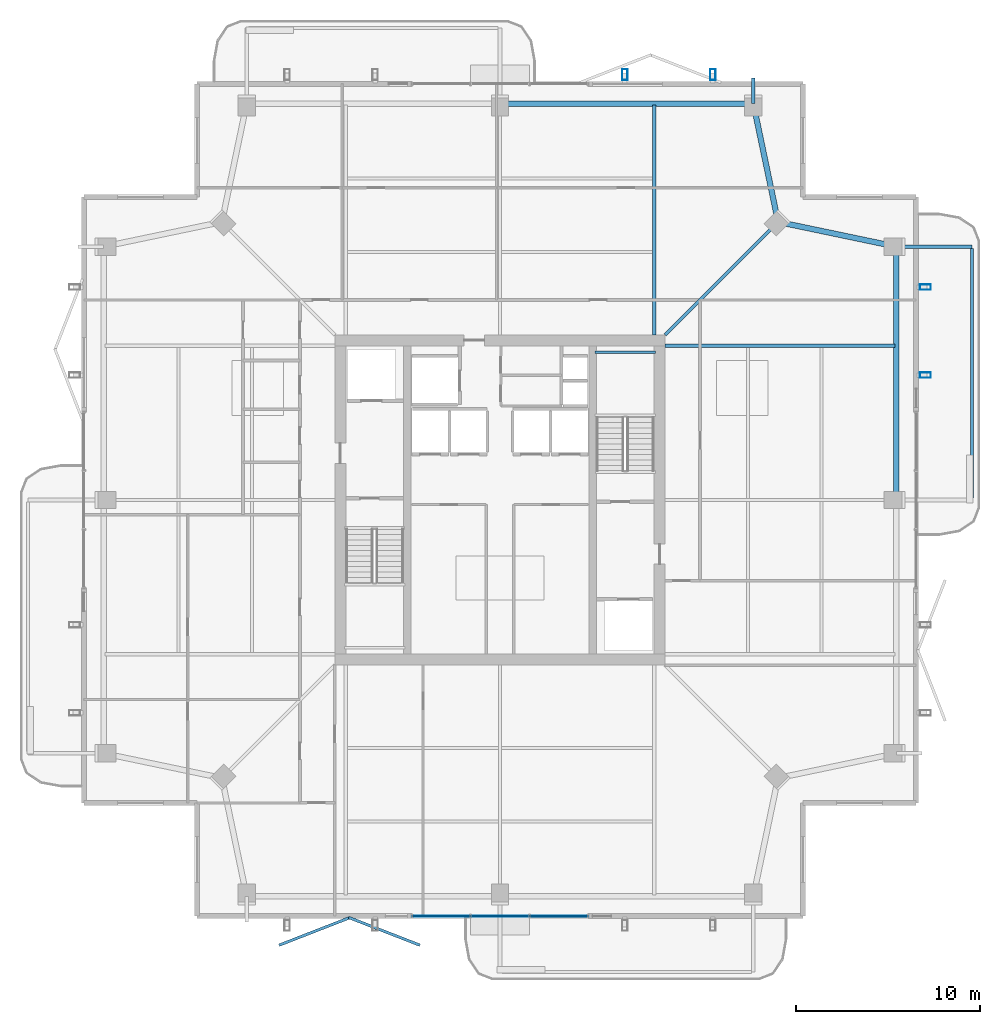
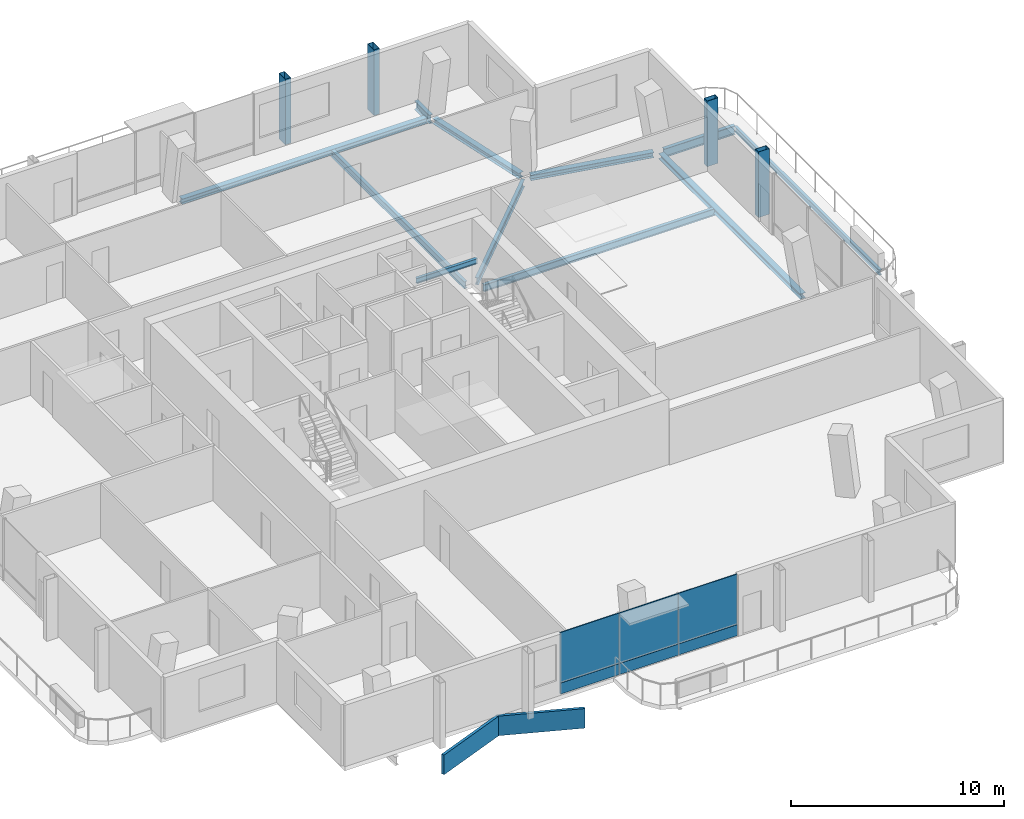
# One storey, part 12 of 20: 11 beams, 8 plates, 4 members, 1 element without a shape of its own.
"""IFC4 building model written with IfcOpenShell, lengths in metres."""

from ifc_helpers import new_model, si_unit, direction, frame, origin, origin_2d, place, context, subcontext, project, spatial, rectangle, hollow_rectangle, i_section, extrude, material, layer, layer_set, material_profile, profile_set, type_object, element, aggregate, save


model = new_model("IFC4")

# Units and contexts
model_context = context("Model", 3, precision=1e-05, world=origin(), true_north=direction((0.0, 1.0)))
body_context = subcontext(model_context, "Body", "Model", "MODEL_VIEW")
ifc_project = project(units=[si_unit("LENGTHUNIT", "METRE"), si_unit("AREAUNIT", "SQUARE_METRE"), si_unit("VOLUMEUNIT", "CUBIC_METRE"), si_unit("PLANEANGLEUNIT", "RADIAN"), si_unit("MASSUNIT", "GRAM", prefix="KILO")], contexts=[model_context])

# Site, building, storey
site_placement = place(None, origin())
site = spatial("IfcSite", under=ifc_project, at=site_placement, CompositionType="ELEMENT")
building_placement = place(site_placement, origin())
building = spatial("IfcBuilding", under=site, at=building_placement, Name="Belovzor Exchange Tower", CompositionType="ELEMENT")
storey_placement = place(building_placement, frame((0.0, 0.0, 329.25)))
storey = spatial("IfcBuildingStorey", under=building, at=storey_placement, Name="L82", CompositionType="ELEMENT", Elevation=329.25)

# Beams
ifc_material_1 = material(Name="Steel S355", Category="steel")
ifc_material_profile_1 = material_profile(ifc_material_1, i_section(OverallWidth=0.199951171875, OverallDepth=0.5, WebThickness=0.01025390625, FlangeThickness=0.01611328125, at=origin_2d()))
ifc_profile_set_1 = profile_set([ifc_material_profile_1], Name="Steel S355")
beam_type_1 = type_object("IfcBeamType", Name="Planted Balcony Cantilever Beam IPE 500", PredefinedType="BEAM", material=ifc_profile_set_1)
beam_1_placement = place(storey_placement, frame((50.660888671875, 42.60009765625, -0.489990234375), z_axis=(1.0, 0.0, 0.0), x_axis=(0.0, 1.0, 0.0)))
element("IfcBeam", 1, at=beam_1_placement, inside=storey, type_object=beam_type_1, Name="BC-500 Planted Balcony Cantilever Beam IPE 500", PredefinedType="BEAM", context=body_context, shape_type="SweptSolid", body=[
    extrude(i_section(OverallWidth=0.199951171875, OverallDepth=0.5, WebThickness=0.01025390625, FlangeThickness=0.01611328125, at=origin_2d()), origin(), (0.0, 0.0, 1.0), 3.85009765625),
])
beam_2_placement = place(storey_placement, frame((42.60009765625, 50.39990234375, -0.489990234375), z_axis=(0.0, 1.0, 0.0), x_axis=(-1.0, 0.0, 0.0)))
element("IfcBeam", 2, at=beam_2_placement, inside=storey, type_object=beam_type_1, Name="BC-500 Planted Balcony Cantilever Beam IPE 500", PredefinedType="BEAM", context=body_context, shape_type="SweptSolid", body=[
    extrude(i_section(OverallWidth=0.199951171875, OverallDepth=0.5, WebThickness=0.01025390625, FlangeThickness=0.01611328125, at=origin_2d()), origin(), (0.0, 0.0, 1.0), 1.400146484375),
])
ifc_material_2 = material(Name="Steel S355", Category="steel")
ifc_material_profile_2 = material_profile(ifc_material_2, i_section(OverallWidth=0.14990234375, OverallDepth=0.300048828125, WebThickness=0.007080078125, FlangeThickness=0.0107421875, at=origin_2d()))
ifc_profile_set_2 = profile_set([ifc_material_profile_2], Name="Steel S355")
beam_type_2 = type_object("IfcBeamType", Name="Planted Balcony Fascia Edge Beam IPE 300", PredefinedType="BEAM", material=ifc_profile_set_2)
beam_3_placement = place(storey_placement, frame((54.510986328125, 28.89990234375, -0.389892578125), z_axis=(0.0, 1.0, 0.0), x_axis=(-1.0, 0.0, 0.0)))
element("IfcBeam", 3, at=beam_3_placement, inside=storey, type_object=beam_type_2, Name="BC-300 Planted Balcony Fascia Edge Beam IPE 300", PredefinedType="BEAM", context=body_context, shape_type="SweptSolid", body=[
    extrude(i_section(OverallWidth=0.14990234375, OverallDepth=0.300048828125, WebThickness=0.007080078125, FlangeThickness=0.0107421875, at=origin_2d()), origin(), (0.0, 0.0, 1.0), 13.60009765625),
])
ifc_material_3 = material(Name="Steel S355", Category="steel")
ifc_material_profile_3 = material_profile(ifc_material_3, i_section(OverallWidth=0.14990234375, OverallDepth=0.300048828125, WebThickness=0.007080078125, FlangeThickness=0.0107421875, at=origin_2d()))
ifc_profile_set_3 = profile_set([ifc_material_profile_3], Name="Steel S355")
beam_type_3 = type_object("IfcBeamType", Name="Secondary Trim Floor Joist IPE 300", PredefinedType="BEAM", material=ifc_profile_set_3)
beam_4_placement = place(storey_placement, frame((37.280029296875, 36.85009765625, 1.52490234375), z_axis=(-1.0, 0.0, 0.0), x_axis=(0.0, -1.0, 0.0)))
element("IfcBeam", 4, at=beam_4_placement, inside=storey, type_object=beam_type_3, Name="FJ-300 Secondary Trim Floor Joist IPE 300", PredefinedType="BEAM", context=body_context, shape_type="SweptSolid", body=[
    extrude(i_section(OverallWidth=0.14990234375, OverallDepth=0.300048828125, WebThickness=0.007080078125, FlangeThickness=0.0107421875, at=origin_2d()), origin(), (0.0, 0.0, 1.0), 3.31005859375),
])

# Members
ifc_material_4 = material(Name="Extruded Architectural Terracotta on Steel S355 Carrier", Category="masonry")
ifc_material_profile_4 = material_profile(ifc_material_4, hollow_rectangle(XDim=0.300048828125, YDim=0.60009765625, WallThickness=0.01611328125, at=origin_2d()))
ifc_profile_set_4 = profile_set([ifc_material_profile_4], Name="Extruded Architectural Terracotta on Steel S355 Carrier")
member_type = type_object("IfcMemberType", Name="Upper Crown Terracotta Fin Assembly 550", PredefinedType="USERDEFINED", material=ifc_profile_set_4)
for number, where, z_axis, x_axis, name in (
    (5, (35.60009765625, 51.97509765625, -0.239990234375), (0.0, 0.0, 1.0), (1.0, 0.0, 0.0), "FIN-TC055 Terracotta Facade Fin L82 N3"),
    (6, (51.97509765625, 35.60009765625, -0.239990234375), (0.0, 0.0, 1.0), (0.0, 1.0, 0.0), "FIN-TC055 Terracotta Facade Fin L82 E3"),
    (7, (40.39990234375, 51.97509765625, -0.239990234375), (0.0, 0.0, 1.0), (1.0, 0.0, 0.0), "FIN-TC055 Terracotta Facade Fin L82 N4"),
    (8, (51.97509765625, 40.39990234375, -0.239990234375), (0.0, 0.0, 1.0), (0.0, 1.0, 0.0), "FIN-TC055 Terracotta Facade Fin L82 E4"),
):
    element("IfcMember", number, at=place(storey_placement, frame(where, z_axis=z_axis, x_axis=x_axis)), inside=storey, type_object=member_type, Name=name, ObjectType="FIN", PredefinedType="USERDEFINED", context=body_context, shape_type="SweptSolid", body=[
        extrude(hollow_rectangle(XDim=0.300048828125, YDim=0.60009765625, WallThickness=0.01611328125, at=origin_2d()), origin(), (0.0, 0.0, 1.0), 3.75),
    ])

# Beams
ifc_material_5 = material(Name="Steel S355", Category="steel")
ifc_material_profile_5 = material_profile(ifc_material_5, i_section(OverallWidth=0.179931640625, OverallDepth=0.39990234375, WebThickness=0.008544921875, FlangeThickness=0.013427734375, at=origin_2d()))
ifc_profile_set_5 = profile_set([ifc_material_profile_5], Name="Steel S355")
beam_type_4 = type_object("IfcBeamType", Name="Zone 5-6 Radial Composite Floor Beam IPE 400", PredefinedType="BEAM", material=ifc_profile_set_5)
for number, where, z_axis, x_axis, name in (
    (9, (37.199951171875, 37.800048828125, -0.43994140625), (0.0, 1.0, 0.0), (-1.0, 0.0, 0.0), "FB-400 Zone 5-6 Radial Composite Floor Beam IPE 400"),
    (10, (37.800048828125, 37.199951171875, -0.43994140625), (1.0, 0.0, 0.0), (0.0, 1.0, 0.0), "FB-400 Zone 5-6 Radial Composite Floor Beam IPE 400"),
):
    element("IfcBeam", number, at=place(storey_placement, frame(where, z_axis=z_axis, x_axis=x_axis)), inside=storey, type_object=beam_type_4, Name=name, PredefinedType="BEAM", context=body_context, shape_type="SweptSolid", body=[
        extrude(i_section(OverallWidth=0.179931640625, OverallDepth=0.39990234375, WebThickness=0.008544921875, FlangeThickness=0.013427734375, at=origin_2d()), origin(), (0.0, 0.0, 1.0), 12.52490234375),
    ])
beam_5_placement = place(storey_placement, frame((37.800048828125, 37.800048828125, -0.43994140625), z_axis=(0.707106781187, 0.707106781187, 0.0), x_axis=(-0.707106781187, 0.707106781187, 0.0)))
element("IfcBeam", 11, at=beam_5_placement, inside=storey, type_object=beam_type_4, Name="FB-400 Zone 5-6 Radial Composite Floor Beam IPE 400", PredefinedType="BEAM", context=body_context, shape_type="SweptSolid", body=[
    extrude(i_section(OverallWidth=0.179931640625, OverallDepth=0.39990234375, WebThickness=0.008544921875, FlangeThickness=0.013427734375, at=origin_2d()), origin(), (0.0, 0.0, 1.0), 8.362060546875),
])
ifc_material_6 = material(Name="Steel S355", Category="steel")
ifc_material_profile_6 = material_profile(ifc_material_6, i_section(OverallWidth=0.300048828125, OverallDepth=0.300048828125, WebThickness=0.008544921875, FlangeThickness=0.013916015625, at=origin_2d()))
ifc_profile_set_6 = profile_set([ifc_material_profile_6], Name="Steel S355")
beam_type_5 = type_object("IfcBeamType", Name="Zone 6 Primary Girder HEA 300", PredefinedType="BEAM", material=ifc_profile_set_6)
beam_6_placement = place(storey_placement, frame((50.39990234375, 29.06103515625, -0.389892578125), z_axis=(0.0, 1.0, 0.0), x_axis=(-1.0, 0.0, 0.0)))
element("IfcBeam", 12, at=beam_6_placement, inside=storey, type_object=beam_type_5, Name="FG-Z6 Zone 6 Primary Girder HEA 300", PredefinedType="BEAM", context=body_context, shape_type="SweptSolid", body=[
    extrude(i_section(OverallWidth=0.300048828125, OverallDepth=0.300048828125, WebThickness=0.008544921875, FlangeThickness=0.013916015625, at=origin_2d()), origin(), (0.0, 0.0, 1.0), 13.278076171875),
])
for number, where, z_axis, x_axis, name in (
    (13, (50.14404296875, 42.654052734375, -0.389892578125), (-0.978820078908, 0.204722380619, 0.0), (-0.204722380619, -0.978820078908, 0.0), "FG-Z6 Zone 6 Primary Girder HEA 300"),
    (14, (43.89599609375, 44.2060546875, -0.389892578125), (-0.204722380619, 0.978820078908, 0.0), (-0.978820078908, -0.204722380619, 0.0), "FG-Z6 Zone 6 Primary Girder HEA 300"),
):
    element("IfcBeam", number, at=place(storey_placement, frame(where, z_axis=z_axis, x_axis=x_axis)), inside=storey, type_object=beam_type_5, Name=name, PredefinedType="BEAM", context=body_context, shape_type="SweptSolid", body=[
        extrude(i_section(OverallWidth=0.300048828125, OverallDepth=0.300048828125, WebThickness=0.008544921875, FlangeThickness=0.013916015625, at=origin_2d()), origin(), (0.0, 0.0, 1.0), 6.06640625),
    ])
beam_7_placement = place(storey_placement, frame((42.339111328125, 50.39990234375, -0.389892578125), z_axis=(-1.0, 0.0, 0.0), x_axis=(0.0, -1.0, 0.0)))
element("IfcBeam", 15, at=beam_7_placement, inside=storey, type_object=beam_type_5, Name="FG-Z6 Zone 6 Primary Girder HEA 300", PredefinedType="BEAM", context=body_context, shape_type="SweptSolid", body=[
    extrude(i_section(OverallWidth=0.300048828125, OverallDepth=0.300048828125, WebThickness=0.008544921875, FlangeThickness=0.013916015625, at=origin_2d()), origin(), (0.0, 0.0, 1.0), 13.278076171875),
])

# Curtain wall, plates
ifc_material_7 = material(Name="Anodised Aluminium Framing", Category="aluminium")
ifc_layer_1 = layer(ifc_material_7, 0.179931640625)
ifc_layer_set_1 = layer_set([ifc_layer_1], Name="Anodised Aluminium Framing")
curtain_wall_type = type_object("IfcCurtainWallType", Name="Recessed Loggia Low-Iron Triple-Glazed Curtain Wall", PredefinedType="NOTDEFINED", material=ifc_layer_set_1)
curtain_wall_placement = place(storey_placement, origin())
curtain_wall = element("IfcCurtainWall", 16, at=curtain_wall_placement, inside=storey, type_object=curtain_wall_type, Name="CW3 Recessed Loggia Low-Iron Triple-Glazed Curtain Wall L82", PredefinedType="NOTDEFINED")
ifc_material_8 = material(Name="Solar-Control Triple Glazing", Category="glass")
ifc_layer_2 = layer(ifc_material_8, 0.0439453125)
ifc_layer_set_2 = layer_set([ifc_layer_2], Name="Solar-Control Triple Glazing")
plate_type_1 = type_object("IfcPlateType", Name="Insulated Solar Glazing Curtain Panel 44", PredefinedType="CURTAIN_PANEL", material=ifc_layer_set_2)
plate_1_placement = place(storey_placement, frame((32.0, 6.1298828125, 0.634033203125), z_axis=(0.0, 0.0, 1.0), x_axis=(-1.0, 0.0, 0.0)))
plate_1 = element("IfcPlate", 17, at=plate_1_placement, type_object=plate_type_1, Name="GLZ-44 Glazed Curtain Panel 1", PredefinedType="CURTAIN_PANEL", context=body_context, shape_type="SweptSolid", body=[
    extrude(rectangle(XDim=3.18408203125, YDim=0.0439453125, at=origin_2d()), origin(), (0.0, 0.0, 1.0), 2.8759765625),
])
plate_2_placement = place(storey_placement, frame((28.800048828125, 6.1298828125, 0.634033203125), z_axis=(0.0, 0.0, 1.0), x_axis=(-1.0, 0.0, 0.0)))
plate_2 = element("IfcPlate", 18, at=plate_2_placement, type_object=plate_type_1, Name="GLZ-44 Glazed Curtain Panel 2", PredefinedType="CURTAIN_PANEL", context=body_context, shape_type="SweptSolid", body=[
    extrude(rectangle(XDim=3.18408203125, YDim=0.0439453125, at=origin_2d()), origin(), (0.0, 0.0, 1.0), 2.8759765625),
])
plate_3_placement = place(storey_placement, frame((25.60009765625, 6.1298828125, 0.634033203125), z_axis=(0.0, 0.0, 1.0), x_axis=(-1.0, 0.0, 0.0)))
plate_3 = element("IfcPlate", 19, at=plate_3_placement, type_object=plate_type_1, Name="GLZ-44 Glazed Curtain Panel 3", PredefinedType="CURTAIN_PANEL", context=body_context, shape_type="SweptSolid", body=[
    extrude(rectangle(XDim=3.18408203125, YDim=0.0439453125, at=origin_2d()), origin(), (0.0, 0.0, 1.0), 2.8759765625),
])
ifc_material_9 = material(Name="Extruded Architectural Terracotta", Category="masonry")
ifc_layer_3 = layer(ifc_material_9, 0.090087890625)
ifc_layer_set_3 = layer_set([ifc_layer_3], Name="Extruded Architectural Terracotta")
plate_type_2 = type_object("IfcPlateType", Name="Terracotta Shadow-Box Spandrel Panel 90", PredefinedType="CURTAIN_PANEL", material=ifc_layer_set_3)
plate_4_placement = place(storey_placement, frame((32.0, 6.1298828125, 0.0), z_axis=(0.0, 0.0, 1.0), x_axis=(-1.0, 0.0, 0.0)))
plate_4 = element("IfcPlate", 20, at=plate_4_placement, type_object=plate_type_2, Name="SPD-90 Spandrel Panel 1", PredefinedType="CURTAIN_PANEL", context=body_context, shape_type="SweptSolid", body=[
    extrude(rectangle(XDim=3.18408203125, YDim=0.090087890625, at=origin_2d()), origin(), (0.0, 0.0, 1.0), 0.6298828125),
])
plate_5_placement = place(storey_placement, frame((28.800048828125, 6.1298828125, 0.0), z_axis=(0.0, 0.0, 1.0), x_axis=(-1.0, 0.0, 0.0)))
plate_5 = element("IfcPlate", 21, at=plate_5_placement, type_object=plate_type_2, Name="SPD-90 Spandrel Panel 2", PredefinedType="CURTAIN_PANEL", context=body_context, shape_type="SweptSolid", body=[
    extrude(rectangle(XDim=3.18408203125, YDim=0.090087890625, at=origin_2d()), origin(), (0.0, 0.0, 1.0), 0.6298828125),
])
plate_6_placement = place(storey_placement, frame((25.60009765625, 6.1298828125, 0.0), z_axis=(0.0, 0.0, 1.0), x_axis=(-1.0, 0.0, 0.0)))
plate_6 = element("IfcPlate", 22, at=plate_6_placement, type_object=plate_type_2, Name="SPD-90 Spandrel Panel 3", PredefinedType="CURTAIN_PANEL", context=body_context, shape_type="SweptSolid", body=[
    extrude(rectangle(XDim=3.18408203125, YDim=0.090087890625, at=origin_2d()), origin(), (0.0, 0.0, 1.0), 0.6298828125),
])
aggregate(curtain_wall, [plate_4, plate_1, plate_5, plate_2, plate_6, plate_3])

# Plates
ifc_material_10 = material(Name="Extruded Architectural Terracotta", Category="masonry")
ifc_layer_4 = layer(ifc_material_10, 0.14990234375)
ifc_layer_set_4 = layer_set([ifc_layer_4], Name="Extruded Architectural Terracotta")
plate_type_3 = type_object("IfcPlateType", Name="Upper-Crown Deep Folded Zigzag Terracotta Spandrel Louvre 150", PredefinedType="USERDEFINED", material=ifc_layer_set_4)
for number, where, z_axis, x_axis, name in (
    (23, (18.699951171875, 5.300048828125, -1.10498046875), (0.0, 0.0, 1.0), (0.931817969421, 0.362925986758, 0.0), "LVR-ZZ3 Zigzag Terracotta Spandrel Louvre L82 S1A"),
    (24, (22.5, 5.300048828125, -1.10498046875), (0.0, 0.0, 1.0), (0.931817969421, -0.362925986758, 0.0), "LVR-ZZ3 Zigzag Terracotta Spandrel Louvre L82 S1B"),
):
    element("IfcPlate", number, at=place(storey_placement, frame(where, z_axis=z_axis, x_axis=x_axis)), inside=storey, type_object=plate_type_3, Name=name, ObjectType="SPANDREL_LOUVRE", PredefinedType="USERDEFINED", context=body_context, shape_type="SweptSolid", body=[
        extrude(rectangle(XDim=4.157958984375, YDim=0.14990234375, at=origin_2d()), origin(), (0.0, 0.0, 1.0), 1.1201171875),
    ])

save(model, "model.ifc")
